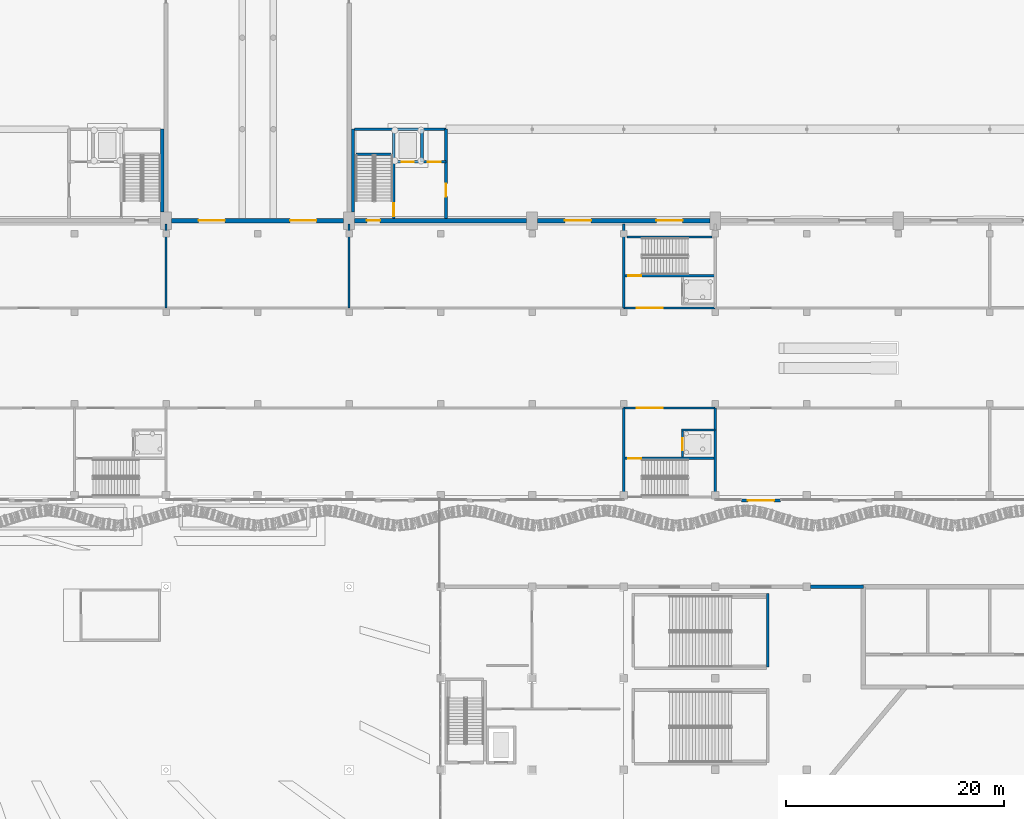
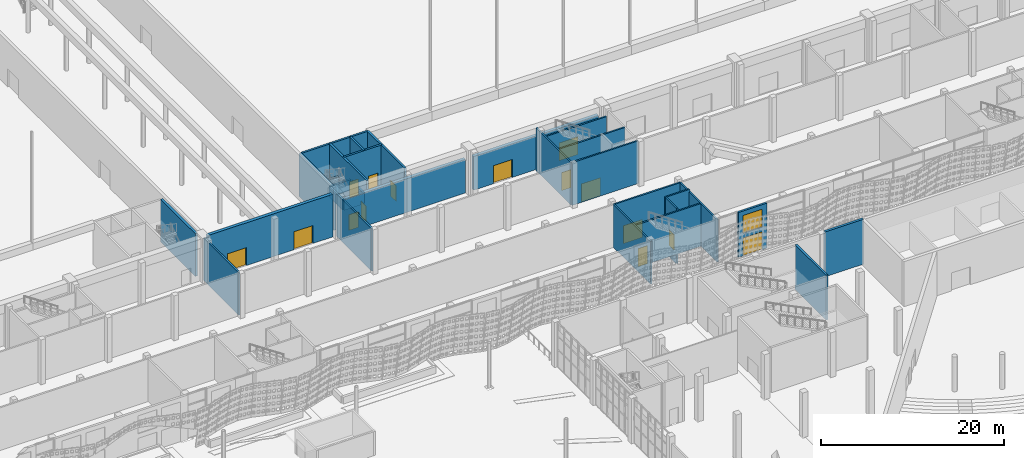
# One storey, part 111 of 210: 30 walls, 15 doors, 1 window, 16 openings.
"""IFC4 building model written with IfcOpenShell, lengths in metres."""

from ifc_helpers import new_model, si_unit, direction, frame, frame_2d, origin, place, context, subcontext, project, spatial, rectangle, extrude, material, layer, layer_set, type_object, element, fill, save


model = new_model("IFC4")

# Units and contexts
model_context = context("Model", 3, precision=1e-05, world=origin(), true_north=direction((0.0, 1.0)))
body_context = subcontext(model_context, "Body", "Model", "MODEL_VIEW")
ifc_project = project(units=[si_unit("LENGTHUNIT", "METRE"), si_unit("AREAUNIT", "SQUARE_METRE"), si_unit("VOLUMEUNIT", "CUBIC_METRE"), si_unit("PLANEANGLEUNIT", "RADIAN"), si_unit("MASSUNIT", "GRAM", prefix="KILO")], contexts=[model_context])

# Site, building, storey
site_placement = place(None, origin())
site = spatial("IfcSite", under=ifc_project, at=site_placement, CompositionType="ELEMENT")
building_placement = place(site_placement, origin())
building = spatial("IfcBuilding", under=site, at=building_placement, Name="Rain Tree Exposition and Congress Centre", CompositionType="ELEMENT")
storey_placement = place(building_placement, origin())
storey = spatial("IfcBuildingStorey", under=building, at=storey_placement, Name="L00", CompositionType="ELEMENT", Elevation=0.0)

# Walls
ifc_material_1 = material(Name="Hollow blockwork partition", Category="masonry")
ifc_layer_1 = layer(ifc_material_1, 0.199951171875)
ifc_layer_set_1 = layer_set([ifc_layer_1], Name="Hollow blockwork partition")
wall_type_1 = type_object("IfcWallType", Name="Concourse blockwork partition 200", PredefinedType="PARTITIONING", material=ifc_layer_set_1)
for number, where, z_axis, x_axis, name in (
    (1, (126.0, 100.5, 0.0), (0.0, 0.0, 1.0), (0.0, -1.0, 0.0), "Concourse partition L00"),
    (2, (142.800048828125, 100.5, 0.0), (0.0, 0.0, 1.0), (0.0, -1.0, 0.0), "Concourse partition L00"),
):
    element("IfcWall", number, at=place(storey_placement, frame(where, z_axis=z_axis, x_axis=x_axis)), inside=storey, type_object=wall_type_1, Name=name, PredefinedType="PARTITIONING", context=body_context, shape_type="SweptSolid", body=[
        extrude(rectangle(XDim=7.699951171875, YDim=0.199951171875, at=frame_2d((3.85009765625, 0.0))), origin(), (0.0, 0.0, 1.0), 5.699951171875),
    ])

# Wall, openings, door, window
ifc_material_2 = material(Name="Concrete C40/50", Category="concrete")
ifc_layer_2 = layer(ifc_material_2, 0.25)
ifc_layer_set_2 = layer_set([ifc_layer_2], Name="Concrete C40/50")
wall_type_2 = type_object("IfcWallType", Name="Concourse entrance infill wall 250", PredefinedType="SOLIDWALL", material=ifc_layer_set_2)
wall_1_placement = place(storey_placement, frame((178.800048828125, 75.125, 0.0), z_axis=(0.0, 0.0, 1.0), x_axis=(1.0, 0.0, 0.0)))
wall_1 = element("IfcWall", 3, at=wall_1_placement, inside=storey, type_object=wall_type_2, Name="Concourse entrance infill wall", PredefinedType="SOLIDWALL", context=body_context, shape_type="SweptSolid", body=[
    extrude(rectangle(XDim=3.599853515625, YDim=0.25, at=frame_2d((1.7998046875, 0.0))), origin(), (0.0, 0.0, 1.0), 6.0),
])
opening_1_placement = place(wall_1_placement, frame((0.60009765625, 0.0, 0.0)))
opening_1 = element("IfcOpeningElement", 4, at=opening_1_placement, cuts=wall_1, Name="Opening DC011", PredefinedType="OPENING", context=body_context, shape_type="SweptSolid", body=[
    extrude(rectangle(XDim=2.39990234375, YDim=2.39990234375, at=frame_2d((1.199951171875, 1.199951171875))), frame((0.0, 0.125, 0.0), z_axis=(0.0, -1.0, 0.0), x_axis=(1.0, 0.0, 0.0)), (0.0, 0.0, 1.0), 0.25),
])
opening_2_placement = place(wall_1_placement, frame((0.60009765625, 0.0, 3.0)))
opening_2 = element("IfcOpeningElement", 5, at=opening_2_placement, cuts=wall_1, Name="Opening WC787", PredefinedType="OPENING", context=body_context, shape_type="SweptSolid", body=[
    extrude(rectangle(XDim=2.39990234375, YDim=2.39990234375, at=frame_2d((1.199951171875, 1.199951171875))), frame((0.0, 0.125, 0.0), z_axis=(0.0, -1.0, 0.0), x_axis=(1.0, 0.0, 0.0)), (0.0, 0.0, 1.0), 0.25),
])
ifc_material_3 = material(Name="Aluminium framed glazed door", Category="aluminium")
door_type_1 = type_object("IfcDoorType", Name="Concourse double door 2400x2400", OperationType="DOUBLE_DOOR_DOUBLE_SWING", PredefinedType="DOOR", material=ifc_material_3)
door_1_placement = place(opening_1_placement, origin())
door_1 = element("IfcDoor", 6, at=door_1_placement, inside=storey, type_object=door_type_1, Name="Room entrance door DC011", OperationType="DOUBLE_DOOR_DOUBLE_SWING", OverallHeight=2.39990234375, OverallWidth=2.39990234375, PredefinedType="DOOR", context=body_context, shape_type="SweptSolid", body=[
    extrude(rectangle(XDim=2.39990234375, YDim=2.39990234375, at=frame_2d((1.199951171875, 1.199951171875))), frame((0.0, 0.02490234375, 0.0), z_axis=(0.0, -1.0, 0.0), x_axis=(1.0, 0.0, 0.0)), (0.0, 0.0, 1.0), 0.050048828125),
])
fill(opening_1, door_1)
ifc_material_4 = material(Name="Aluminium framed glazing", Category="aluminium")
window_type = type_object("IfcWindowType", Name="Concourse fixed window 2400x2400", PartitioningType="SINGLE_PANEL", PredefinedType="WINDOW", material=ifc_material_4)
window_placement = place(opening_2_placement, origin())
window = element("IfcWindow", 7, at=window_placement, inside=storey, type_object=window_type, Name="Entrance transom window", OverallHeight=2.39990234375, OverallWidth=2.39990234375, PartitioningType="SINGLE_PANEL", PredefinedType="WINDOW", context=body_context, shape_type="SweptSolid", body=[
    extrude(rectangle(XDim=2.39990234375, YDim=2.39990234375, at=frame_2d((1.199951171875, 1.199951171875))), frame((0.0, 0.030029296875, 0.0), z_axis=(0.0, -1.0, 0.0), x_axis=(1.0, 0.0, 0.0)), (0.0, 0.0, 1.0), 0.06005859375),
])
fill(opening_2, window)

# Walls
ifc_material_5 = material(Name="Concrete C40/50", Category="concrete")
ifc_layer_3 = layer(ifc_material_5, 0.199951171875)
ifc_layer_set_3 = layer_set([ifc_layer_3], Name="Concrete C40/50")
wall_type_3 = type_object("IfcWallType", Name="Concourse shaft and core wall 200", PredefinedType="SOLIDWALL", material=ifc_layer_set_3)
for number, where, z_axis, x_axis, name in (
    (8, (168.0, 75.39990234375, 0.0), (0.0, 0.0, 1.0), (0.0, 1.0, 0.0), "Concourse core wall L00"),
    (9, (176.39990234375, 75.39990234375, 0.0), (0.0, 0.0, 1.0), (0.0, 1.0, 0.0), "Concourse core wall L00"),
):
    element("IfcWall", number, at=place(storey_placement, frame(where, z_axis=z_axis, x_axis=x_axis)), inside=storey, type_object=wall_type_3, Name=name, PredefinedType="SOLIDWALL", context=body_context, shape_type="SweptSolid", body=[
        extrude(rectangle(XDim=8.2001953125, YDim=0.199951171875, at=frame_2d((4.10009765625, 0.0))), origin(), (0.0, 0.0, 1.0), 5.699951171875),
    ])
wall_2_placement = place(storey_placement, frame((168.0, 100.5, 0.0), z_axis=(0.0, 0.0, 1.0), x_axis=(0.0, -1.0, 0.0)))
element("IfcWall", 10, at=wall_2_placement, inside=storey, type_object=wall_type_3, Name="Concourse core wall L00", PredefinedType="SOLIDWALL", context=body_context, shape_type="SweptSolid", body=[
    extrude(rectangle(XDim=7.699951171875, YDim=0.199951171875, at=frame_2d((3.85009765625, 0.0))), origin(), (0.0, 0.0, 1.0), 5.699951171875),
])
wall_3_placement = place(storey_placement, frame((168.300048828125, 99.300048828125, 0.0), z_axis=(0.0, 0.0, 1.0), x_axis=(1.0, 0.0, 0.0)))
element("IfcWall", 11, at=wall_3_placement, inside=storey, type_object=wall_type_3, Name="Concourse stair wall L00", PredefinedType="SOLIDWALL", context=body_context, shape_type="SweptSolid", body=[
    extrude(rectangle(XDim=7.800048828125, YDim=0.199951171875, at=frame_2d((3.89990234375, 0.0))), origin(), (0.0, 0.0, 1.0), 5.10009765625),
])

# Wall, opening, door
wall_4_placement = place(storey_placement, frame((168.0, 83.60009765625, 0.0), z_axis=(0.0, 0.0, 1.0), x_axis=(1.0, 0.0, 0.0)))
wall_4 = element("IfcWall", 12, at=wall_4_placement, inside=storey, type_object=wall_type_3, Name="Concourse lobby front L00", PredefinedType="SOLIDWALL", context=body_context, shape_type="SweptSolid", body=[
    extrude(rectangle(XDim=8.39990234375, YDim=0.199951171875, at=frame_2d((4.199951171875, 0.0))), origin(), (0.0, 0.0, 1.0), 5.699951171875),
])
opening_3_placement = place(wall_4_placement, frame((1.199951171875, 0.0, 0.0)))
opening_3 = element("IfcOpeningElement", 13, at=opening_3_placement, cuts=wall_4, Name="Opening DC035", PredefinedType="OPENING", context=body_context, shape_type="SweptSolid", body=[
    extrude(rectangle(XDim=2.39990234375, YDim=2.39990234375, at=frame_2d((1.199951171875, 1.199951171875))), frame((0.0, 0.10009765625, 0.0), z_axis=(0.0, -1.0, 0.0), x_axis=(1.0, 0.0, 0.0)), (0.0, 0.0, 1.0), 0.199951171875),
])
door_2_placement = place(opening_3_placement, origin())
door_2 = element("IfcDoor", 14, at=door_2_placement, inside=storey, type_object=door_type_1, Name="Lobby exit door DC035", OperationType="DOUBLE_DOOR_DOUBLE_SWING", OverallHeight=2.39990234375, OverallWidth=2.39990234375, PredefinedType="DOOR", context=body_context, shape_type="SweptSolid", body=[
    extrude(rectangle(XDim=2.39990234375, YDim=2.39990234375, at=frame_2d((1.199951171875, 1.199951171875))), frame((0.0, 0.02490234375, 0.0), z_axis=(0.0, -1.0, 0.0), x_axis=(1.0, 0.0, 0.0)), (0.0, 0.0, 1.0), 0.050048828125),
])
fill(opening_3, door_2)

wall_5_placement = place(storey_placement, frame((168.0, 92.800048828125, 0.0), z_axis=(0.0, 0.0, 1.0), x_axis=(1.0, 0.0, 0.0)))
wall_5 = element("IfcWall", 15, at=wall_5_placement, inside=storey, type_object=wall_type_3, Name="Concourse lobby front L00", PredefinedType="SOLIDWALL", context=body_context, shape_type="SweptSolid", body=[
    extrude(rectangle(XDim=8.39990234375, YDim=0.199951171875, at=frame_2d((4.199951171875, 0.0))), origin(), (0.0, 0.0, 1.0), 5.699951171875),
])
opening_4_placement = place(wall_5_placement, frame((1.199951171875, 0.0, 0.0)))
opening_4 = element("IfcOpeningElement", 16, at=opening_4_placement, cuts=wall_5, Name="Opening DC073", PredefinedType="OPENING", context=body_context, shape_type="SweptSolid", body=[
    extrude(rectangle(XDim=2.39990234375, YDim=2.39990234375, at=frame_2d((1.199951171875, 1.199951171875))), frame((0.0, 0.10009765625, 0.0), z_axis=(0.0, -1.0, 0.0), x_axis=(1.0, 0.0, 0.0)), (0.0, 0.0, 1.0), 0.199951171875),
])
door_3_placement = place(opening_4_placement, origin())
door_3 = element("IfcDoor", 17, at=door_3_placement, inside=storey, type_object=door_type_1, Name="Lobby exit door DC073", OperationType="DOUBLE_DOOR_DOUBLE_SWING", OverallHeight=2.39990234375, OverallWidth=2.39990234375, PredefinedType="DOOR", context=body_context, shape_type="SweptSolid", body=[
    extrude(rectangle(XDim=2.39990234375, YDim=2.39990234375, at=frame_2d((1.199951171875, 1.199951171875))), frame((0.0, 0.02490234375, 0.0), z_axis=(0.0, -1.0, 0.0), x_axis=(1.0, 0.0, 0.0)), (0.0, 0.0, 1.0), 0.050048828125),
])
fill(opening_4, door_3)

wall_6_placement = place(storey_placement, frame((168.0, 79.0, 0.0), z_axis=(0.0, 0.0, 1.0), x_axis=(1.0, 0.0, 0.0)))
wall_6 = element("IfcWall", 18, at=wall_6_placement, inside=storey, type_object=wall_type_3, Name="Concourse stair wall L00", PredefinedType="SOLIDWALL", context=body_context, shape_type="SweptSolid", body=[
    extrude(rectangle(XDim=8.39990234375, YDim=0.199951171875, at=frame_2d((4.199951171875, 0.0))), origin(), (0.0, 0.0, 1.0), 5.699951171875),
])
opening_5_placement = place(wall_6_placement, frame((0.39990234375, 0.0, 0.0)))
opening_5 = element("IfcOpeningElement", 19, at=opening_5_placement, cuts=wall_6, Name="Opening DC108", PredefinedType="OPENING", context=body_context, shape_type="SweptSolid", body=[
    extrude(rectangle(XDim=1.199951171875, YDim=2.39990234375, at=frame_2d((0.60009765625, 1.199951171875))), frame((0.0, 0.10009765625, 0.0), z_axis=(0.0, -1.0, 0.0), x_axis=(1.0, 0.0, 0.0)), (0.0, 0.0, 1.0), 0.199951171875),
])
ifc_material_6 = material(Name="Aluminium framed glazed door", Category="aluminium")
door_type_2 = type_object("IfcDoorType", Name="Concourse single door 1200x2400", OperationType="NOTDEFINED", PredefinedType="DOOR", material=ifc_material_6)
door_4_placement = place(opening_5_placement, origin())
door_4 = element("IfcDoor", 20, at=door_4_placement, inside=storey, type_object=door_type_2, Name="Stair door DC108", OperationType="SINGLE_SWING_LEFT", OverallHeight=2.39990234375, OverallWidth=1.199951171875, PredefinedType="DOOR", context=body_context, shape_type="SweptSolid", body=[
    extrude(rectangle(XDim=1.199951171875, YDim=2.39990234375, at=frame_2d((0.60009765625, 1.199951171875))), frame((0.0, 0.02490234375, 0.0), z_axis=(0.0, -1.0, 0.0), x_axis=(1.0, 0.0, 0.0)), (0.0, 0.0, 1.0), 0.050048828125),
])
fill(opening_5, door_4)

wall_7_placement = place(storey_placement, frame((173.39990234375, 79.10009765625, -1.39990234375), z_axis=(0.0, 0.0, 1.0), x_axis=(0.0, 1.0, 0.0)))
wall_7 = element("IfcWall", 21, at=wall_7_placement, inside=storey, type_object=wall_type_3, Name="Concourse lift shaft wall L00", PredefinedType="SOLIDWALL", context=body_context, shape_type="SweptSolid", body=[
    extrude(rectangle(XDim=2.599853515625, YDim=0.199951171875, at=frame_2d((1.2998046875, 0.0))), origin(), (0.0, 0.0, 1.0), 7.39990234375),
])
opening_6_placement = place(wall_7_placement, frame((0.64990234375, 0.0, 1.39990234375)))
opening_6 = element("IfcOpeningElement", 22, at=opening_6_placement, cuts=wall_7, Name="Opening DC110", PredefinedType="OPENING", context=body_context, shape_type="SweptSolid", body=[
    extrude(rectangle(XDim=1.10009765625, YDim=2.10009765625, at=frame_2d((0.550048828125, 1.050048828125))), frame((0.0, 0.10009765625, 0.0), z_axis=(0.0, -1.0, 0.0), x_axis=(1.0, 0.0, 0.0)), (0.0, 0.0, 1.0), 0.199951171875),
])
ifc_material_7 = material(Name="Stainless steel", Category="steel")
door_type_3 = type_object("IfcDoorType", Name="Lift landing door 1100x2100", OperationType="DOUBLE_DOOR_SLIDING", PredefinedType="DOOR", material=ifc_material_7)
door_5_placement = place(opening_6_placement, origin())
door_5 = element("IfcDoor", 23, at=door_5_placement, inside=storey, type_object=door_type_3, Name="Lift landing door DC110", OperationType="DOUBLE_DOOR_SLIDING", OverallHeight=2.10009765625, OverallWidth=1.10009765625, PredefinedType="DOOR", context=body_context, shape_type="SweptSolid", body=[
    extrude(rectangle(XDim=1.10009765625, YDim=2.10009765625, at=frame_2d((0.550048828125, 1.050048828125))), frame((0.0, 0.02490234375, 0.0), z_axis=(0.0, -1.0, 0.0), x_axis=(1.0, 0.0, 0.0)), (0.0, 0.0, 1.0), 0.050048828125),
])
fill(opening_6, door_5)

# Wall
wall_8_placement = place(storey_placement, frame((173.300048828125, 81.60009765625, -1.39990234375), z_axis=(0.0, 0.0, 1.0), x_axis=(1.0, 0.0, 0.0)))
element("IfcWall", 24, at=wall_8_placement, inside=storey, type_object=wall_type_3, Name="Concourse lift shaft wall L00", PredefinedType="SOLIDWALL", context=body_context, shape_type="SweptSolid", body=[
    extrude(rectangle(XDim=3.099853515625, YDim=0.199951171875, at=frame_2d((1.5498046875, 0.0))), origin(), (0.0, 0.0, 1.0), 7.39990234375),
])

# Wall, opening, door
wall_9_placement = place(storey_placement, frame((168.0, 95.75, 0.0), z_axis=(0.0, 0.0, 1.0), x_axis=(1.0, 0.0, 0.0)))
wall_9 = element("IfcWall", 25, at=wall_9_placement, inside=storey, type_object=wall_type_3, Name="Concourse stair wall L00", PredefinedType="SOLIDWALL", context=body_context, shape_type="SweptSolid", body=[
    extrude(rectangle(XDim=8.39990234375, YDim=0.199951171875, at=frame_2d((4.199951171875, 0.0))), origin(), (0.0, 0.0, 1.0), 5.699951171875),
])
opening_7_placement = place(wall_9_placement, frame((0.39990234375, 0.0, 0.0)))
opening_7 = element("IfcOpeningElement", 26, at=opening_7_placement, cuts=wall_9, Name="Opening DC138", PredefinedType="OPENING", context=body_context, shape_type="SweptSolid", body=[
    extrude(rectangle(XDim=1.199951171875, YDim=2.39990234375, at=frame_2d((0.60009765625, 1.199951171875))), frame((0.0, 0.10009765625, 0.0), z_axis=(0.0, -1.0, 0.0), x_axis=(1.0, 0.0, 0.0)), (0.0, 0.0, 1.0), 0.199951171875),
])
door_6_placement = place(opening_7_placement, origin())
door_6 = element("IfcDoor", 27, at=door_6_placement, inside=storey, type_object=door_type_2, Name="Stair door DC138", OperationType="SINGLE_SWING_LEFT", OverallHeight=2.39990234375, OverallWidth=1.199951171875, PredefinedType="DOOR", context=body_context, shape_type="SweptSolid", body=[
    extrude(rectangle(XDim=1.199951171875, YDim=2.39990234375, at=frame_2d((0.60009765625, 1.199951171875))), frame((0.0, 0.02490234375, 0.0), z_axis=(0.0, -1.0, 0.0), x_axis=(1.0, 0.0, 0.0)), (0.0, 0.0, 1.0), 0.050048828125),
])
fill(opening_7, door_6)

# Walls
ifc_material_8 = material(Name="Concrete C40/50", Category="concrete")
ifc_layer_4 = layer(ifc_material_8, 0.300048828125)
ifc_layer_set_4 = layer_set([ifc_layer_4], Name="Concrete C40/50")
wall_type_4 = type_object("IfcWallType", Name="Core gable pier wall 300", PredefinedType="SHEAR", material=ifc_layer_set_4)
for number, where, z_axis, x_axis, name in (
    (28, (125.64990234375, 101.60009765625, 0.0), (0.0, 0.0, 1.0), (0.0, 1.0, 0.0), "Gable pier wall 2"),
    (29, (143.14990234375, 101.60009765625, 0.0), (0.0, 0.0, 1.0), (0.0, 1.0, 0.0), "Gable pier wall 5"),
):
    element("IfcWall", number, at=place(storey_placement, frame(where, z_axis=z_axis, x_axis=x_axis)), inside=storey, type_object=wall_type_4, Name=name, PredefinedType="SHEAR", context=body_context, shape_type="SweptSolid", body=[
        extrude(rectangle(XDim=7.599853515625, YDim=0.300048828125, at=frame_2d((3.7998046875, 0.0))), origin(), (0.0, 0.0, 1.0), 5.699951171875),
    ])

# Wall, opening, door
ifc_material_9 = material(Name="Concrete C40/50", Category="concrete")
ifc_layer_5 = layer(ifc_material_9, 0.25)
ifc_layer_set_5 = layer_set([ifc_layer_5], Name="Concrete C40/50")
wall_type_5 = type_object("IfcWallType", Name="Core wall 250", PredefinedType="SHEAR", material=ifc_layer_set_5)
wall_10_placement = place(storey_placement, frame((146.89990234375, 101.0, 0.0), z_axis=(0.0, 0.0, 1.0), x_axis=(0.0, 1.0, 0.0)))
wall_10 = element("IfcWall", 30, at=wall_10_placement, inside=storey, type_object=wall_type_5, Name="Stair wall 5", PredefinedType="SHEAR", context=body_context, shape_type="SweptSolid", body=[
    extrude(rectangle(XDim=8.199951171875, YDim=0.25, at=frame_2d((4.10009765625, 0.0))), origin(), (0.0, 0.0, 1.0), 5.699951171875),
])
opening_8_placement = place(wall_10_placement, frame((0.199951171875, 0.0, 0.0)))
opening_8 = element("IfcOpeningElement", 31, at=opening_8_placement, cuts=wall_10, Name="Opening DH213", PredefinedType="OPENING", context=body_context, shape_type="SweptSolid", body=[
    extrude(rectangle(XDim=1.199951171875, YDim=2.10009765625, at=frame_2d((0.60009765625, 1.050048828125))), frame((0.0, 0.125, 0.0), z_axis=(0.0, -1.0, 0.0), x_axis=(1.0, 0.0, 0.0)), (0.0, 0.0, 1.0), 0.25),
])
ifc_material_10 = material(Name="Painted steel fire door", Category="steel")
door_type_4 = type_object("IfcDoorType", Name="Stair fire door 1200x2100", OperationType="NOTDEFINED", PredefinedType="DOOR", material=ifc_material_10)
door_7_placement = place(opening_8_placement, origin())
door_7 = element("IfcDoor", 32, at=door_7_placement, inside=storey, type_object=door_type_4, Name="Door DH213", OperationType="SINGLE_SWING_LEFT", OverallHeight=2.10009765625, OverallWidth=1.199951171875, PredefinedType="DOOR", context=body_context, shape_type="SweptSolid", body=[
    extrude(rectangle(XDim=1.199951171875, YDim=2.10009765625, at=frame_2d((0.60009765625, 1.050048828125))), frame((0.0, 0.02490234375, 0.0), z_axis=(0.0, -1.0, 0.0), x_axis=(1.0, 0.0, 0.0)), (0.0, 0.0, 1.0), 0.050048828125),
])
fill(opening_8, door_7)

# Wall
wall_11_placement = place(storey_placement, frame((143.300048828125, 109.199951171875, 0.0), z_axis=(0.0, 0.0, 1.0), x_axis=(1.0, 0.0, 0.0)))
element("IfcWall", 33, at=wall_11_placement, inside=storey, type_object=wall_type_5, Name="Core north wall 5", PredefinedType="SHEAR", context=body_context, shape_type="SweptSolid", body=[
    extrude(rectangle(XDim=8.39990234375, YDim=0.25, at=frame_2d((4.199951171875, 0.0))), origin(), (0.0, 0.0, 1.0), 5.699951171875),
])

# Wall, opening, door
wall_12_placement = place(storey_placement, frame((151.699951171875, 101.0, 0.0), z_axis=(0.0, 0.0, 1.0), x_axis=(0.0, 1.0, 0.0)))
wall_12 = element("IfcWall", 34, at=wall_12_placement, inside=storey, type_object=wall_type_5, Name="Core east wall 5", PredefinedType="SHEAR", context=body_context, shape_type="SweptSolid", body=[
    extrude(rectangle(XDim=8.199951171875, YDim=0.25, at=frame_2d((4.10009765625, 0.0))), origin(), (0.0, 0.0, 1.0), 5.699951171875),
])
opening_9_placement = place(wall_12_placement, frame((2.0, 0.0, 0.0)))
opening_9 = element("IfcOpeningElement", 35, at=opening_9_placement, cuts=wall_12, Name="Opening DH214", PredefinedType="OPENING", context=body_context, shape_type="SweptSolid", body=[
    extrude(rectangle(XDim=1.199951171875, YDim=2.10009765625, at=frame_2d((0.60009765625, 1.050048828125))), frame((0.0, 0.125, 0.0), z_axis=(0.0, -1.0, 0.0), x_axis=(1.0, 0.0, 0.0)), (0.0, 0.0, 1.0), 0.25),
])
ifc_material_11 = material(Name="Painted steel fire door", Category="steel")
door_type_5 = type_object("IfcDoorType", Name="Lobby fire door 1200x2100", OperationType="NOTDEFINED", PredefinedType="DOOR", material=ifc_material_11)
door_8_placement = place(opening_9_placement, origin())
door_8 = element("IfcDoor", 36, at=door_8_placement, inside=storey, type_object=door_type_5, Name="Door DH214", OperationType="SINGLE_SWING_LEFT", OverallHeight=2.10009765625, OverallWidth=1.199951171875, PredefinedType="DOOR", context=body_context, shape_type="SweptSolid", body=[
    extrude(rectangle(XDim=1.199951171875, YDim=2.10009765625, at=frame_2d((0.60009765625, 1.050048828125))), frame((0.0, 0.02490234375, 0.0), z_axis=(0.0, -1.0, 0.0), x_axis=(1.0, 0.0, 0.0)), (0.0, 0.0, 1.0), 0.050048828125),
])
fill(opening_9, door_8)

# Wall, openings, doors
wall_13_placement = place(storey_placement, frame((146.89990234375, 106.199951171875, 0.0), z_axis=(0.0, 0.0, 1.0), x_axis=(1.0, 0.0, 0.0)))
wall_13 = element("IfcWall", 37, at=wall_13_placement, inside=storey, type_object=wall_type_5, Name="Lift lobby wall 5", PredefinedType="SHEAR", context=body_context, shape_type="SweptSolid", body=[
    extrude(rectangle(XDim=4.800048828125, YDim=0.25, at=frame_2d((2.39990234375, 0.0))), origin(), (0.0, 0.0, 1.0), 5.699951171875),
])
opening_10_placement = place(wall_13_placement, frame((0.75, 0.0, 0.0)))
opening_10 = element("IfcOpeningElement", 38, at=opening_10_placement, cuts=wall_13, Name="Opening DH215", PredefinedType="OPENING", context=body_context, shape_type="SweptSolid", body=[
    extrude(rectangle(XDim=1.10009765625, YDim=2.10009765625, at=frame_2d((0.550048828125, 1.050048828125))), frame((0.0, 0.125, 0.0), z_axis=(0.0, -1.0, 0.0), x_axis=(1.0, 0.0, 0.0)), (0.0, 0.0, 1.0), 0.25),
])
opening_11_placement = place(wall_13_placement, frame((3.10009765625, 0.0, 0.0)))
opening_11 = element("IfcOpeningElement", 39, at=opening_11_placement, cuts=wall_13, Name="Opening DH216", PredefinedType="OPENING", context=body_context, shape_type="SweptSolid", body=[
    extrude(rectangle(XDim=1.199951171875, YDim=2.10009765625, at=frame_2d((0.60009765625, 1.050048828125))), frame((0.0, 0.125, 0.0), z_axis=(0.0, -1.0, 0.0), x_axis=(1.0, 0.0, 0.0)), (0.0, 0.0, 1.0), 0.25),
])
door_9_placement = place(opening_10_placement, origin())
door_9 = element("IfcDoor", 40, at=door_9_placement, inside=storey, type_object=door_type_3, Name="Door DH215", OperationType="DOUBLE_DOOR_SLIDING", OverallHeight=2.10009765625, OverallWidth=1.10009765625, PredefinedType="DOOR", context=body_context, shape_type="SweptSolid", body=[
    extrude(rectangle(XDim=1.10009765625, YDim=2.10009765625, at=frame_2d((0.550048828125, 1.050048828125))), frame((0.0, 0.02490234375, 0.0), z_axis=(0.0, -1.0, 0.0), x_axis=(1.0, 0.0, 0.0)), (0.0, 0.0, 1.0), 0.050048828125),
])
fill(opening_10, door_9)
ifc_material_12 = material(Name="Painted steel fire door", Category="steel")
door_type_6 = type_object("IfcDoorType", Name="Plant room fire door 1200x2100", OperationType="NOTDEFINED", PredefinedType="DOOR", material=ifc_material_12)
door_10_placement = place(opening_11_placement, origin())
door_10 = element("IfcDoor", 41, at=door_10_placement, inside=storey, type_object=door_type_6, Name="Door DH216", OperationType="SINGLE_SWING_RIGHT", OverallHeight=2.10009765625, OverallWidth=1.199951171875, PredefinedType="DOOR", context=body_context, shape_type="SweptSolid", body=[
    extrude(rectangle(XDim=1.199951171875, YDim=2.10009765625, at=frame_2d((0.60009765625, 1.050048828125))), frame((0.0, 0.02490234375, 0.0), z_axis=(0.0, -1.0, 0.0), x_axis=(1.0, 0.0, 0.0)), (0.0, 0.0, 1.0), 0.050048828125),
])
fill(opening_11, door_10)

# Walls
wall_14_placement = place(storey_placement, frame((149.5, 106.199951171875, 0.0), z_axis=(0.0, 0.0, 1.0), x_axis=(0.0, 1.0, 0.0)))
element("IfcWall", 42, at=wall_14_placement, inside=storey, type_object=wall_type_5, Name="Lift shaft wall 5", PredefinedType="SHEAR", context=body_context, shape_type="SweptSolid", body=[
    extrude(rectangle(XDim=3.0, YDim=0.25, at=frame_2d((1.5, 0.0))), origin(), (0.0, 0.0, 1.0), 5.699951171875),
])
wall_15_placement = place(storey_placement, frame((143.449951171875, 106.89990234375, 0.0), z_axis=(0.0, 0.0, 1.0), x_axis=(1.0, 0.0, 0.0)))
element("IfcWall", 43, at=wall_15_placement, inside=storey, type_object=wall_type_5, Name="Stair landing wall 5", PredefinedType="SHEAR", context=body_context, shape_type="SweptSolid", body=[
    extrude(rectangle(XDim=3.199951171875, YDim=0.25, at=frame_2d((1.60009765625, 0.0))), origin(), (0.0, 0.0, 1.0), 2.800048828125),
])
wall_16_placement = place(storey_placement, frame((181.22509765625, 59.85009765625, 0.0), z_axis=(0.0, 0.0, 1.0), x_axis=(0.0, 1.0, 0.0)))
element("IfcWall", 44, at=wall_16_placement, inside=storey, type_object=wall_type_5, Name="Stair ST-G4 far wall", PredefinedType="SHEAR", context=body_context, shape_type="SweptSolid", body=[
    extrude(rectangle(XDim=6.75, YDim=0.25, at=frame_2d((3.375, 0.0))), origin(), (0.0, 0.0, 1.0), 6.0),
])
ifc_material_13 = material(Name="Concrete C40/50", Category="concrete")
ifc_layer_6 = layer(ifc_material_13, 0.300048828125)
ifc_layer_set_6 = layer_set([ifc_layer_6], Name="Concrete C40/50")
wall_type_6 = type_object("IfcWallType", Name="Foyer screen wall 300", PredefinedType="STANDARD", material=ifc_layer_set_6)
wall_17_placement = place(storey_placement, frame((185.14990234375, 67.199951171875, 0.0), z_axis=(0.0, 0.0, 1.0), x_axis=(1.0, 0.0, 0.0)))
element("IfcWall", 45, at=wall_17_placement, inside=storey, type_object=wall_type_6, Name="Lounge north wall end", PredefinedType="STANDARD", context=body_context, shape_type="SweptSolid", body=[
    extrude(rectangle(XDim=4.85009765625, YDim=0.300048828125, at=frame_2d((2.425048828125, 0.0))), origin(), (0.0, 0.0, 1.0), 6.0),
])

# Wall, opening, door
ifc_material_14 = material(Name="Precast concrete C50/60", Category="concrete")
ifc_layer_7 = layer(ifc_material_14, 0.39990234375)
ifc_layer_set_7 = layer_set([ifc_layer_7], Name="Precast concrete C50/60")
wall_type_7 = type_object("IfcWallType", Name="Hall precast wall 400", PredefinedType="STANDARD", material=ifc_layer_set_7)
wall_18_placement = place(storey_placement, frame((143.300048828125, 100.800048828125, 0.0), z_axis=(0.0, 0.0, 1.0), x_axis=(1.0, 0.0, 0.0)))
wall_18 = element("IfcWall", 46, at=wall_18_placement, inside=storey, type_object=wall_type_7, Name="Cladding wall S1", PredefinedType="STANDARD", context=body_context, shape_type="SweptSolid", body=[
    extrude(rectangle(XDim=15.800048828125, YDim=0.39990234375, at=frame_2d((7.89990234375, 0.0))), origin(), (0.0, 0.0, 1.0), 4.5),
])
opening_12_placement = place(wall_18_placement, frame((1.137451171875, 0.0, 0.0)))
opening_12 = element("IfcOpeningElement", 47, at=opening_12_placement, cuts=wall_18, Name="Opening DH136", PredefinedType="OPENING", context=body_context, shape_type="SweptSolid", body=[
    extrude(rectangle(XDim=1.199951171875, YDim=2.10009765625, at=frame_2d((0.60009765625, 1.050048828125))), frame((0.0, 0.199951171875, 0.0), z_axis=(0.0, -1.0, 0.0), x_axis=(1.0, 0.0, 0.0)), (0.0, 0.0, 1.0), 0.39990234375),
])
door_11_placement = place(opening_12_placement, origin())
door_11 = element("IfcDoor", 48, at=door_11_placement, inside=storey, type_object=door_type_4, Name="Door DH136", OperationType="SINGLE_SWING_LEFT", OverallHeight=2.10009765625, OverallWidth=1.199951171875, PredefinedType="DOOR", context=body_context, shape_type="SweptSolid", body=[
    extrude(rectangle(XDim=1.199951171875, YDim=2.10009765625, at=frame_2d((0.60009765625, 1.050048828125))), frame((0.0, 0.02490234375, 0.0), z_axis=(0.0, -1.0, 0.0), x_axis=(1.0, 0.0, 0.0)), (0.0, 0.0, 1.0), 0.050048828125),
])
fill(opening_12, door_11)

# Wall, openings, doors
wall_19_placement = place(storey_placement, frame((160.10009765625, 100.800048828125, 0.0), z_axis=(0.0, 0.0, 1.0), x_axis=(1.0, 0.0, 0.0)))
wall_19 = element("IfcWall", 49, at=wall_19_placement, inside=storey, type_object=wall_type_7, Name="Cladding wall S2", PredefinedType="STANDARD", context=body_context, shape_type="SweptSolid", body=[
    extrude(rectangle(XDim=15.7998046875, YDim=0.39990234375, at=frame_2d((7.89990234375, 0.0))), origin(), (0.0, 0.0, 1.0), 4.5),
])
opening_13_placement = place(wall_19_placement, frame((2.5, 0.0, 0.0)))
opening_13 = element("IfcOpeningElement", 50, at=opening_13_placement, cuts=wall_19, Name="Opening DH137", PredefinedType="OPENING", context=body_context, shape_type="SweptSolid", body=[
    extrude(rectangle(XDim=2.39990234375, YDim=2.39990234375, at=frame_2d((1.199951171875, 1.199951171875))), frame((0.0, 0.199951171875, 0.0), z_axis=(0.0, -1.0, 0.0), x_axis=(1.0, 0.0, 0.0)), (0.0, 0.0, 1.0), 0.39990234375),
])
opening_14_placement = place(wall_19_placement, frame((10.89990234375, 0.0, 0.0)))
opening_14 = element("IfcOpeningElement", 51, at=opening_14_placement, cuts=wall_19, Name="Opening DH138", PredefinedType="OPENING", context=body_context, shape_type="SweptSolid", body=[
    extrude(rectangle(XDim=2.39990234375, YDim=2.39990234375, at=frame_2d((1.199951171875, 1.199951171875))), frame((0.0, 0.199951171875, 0.0), z_axis=(0.0, -1.0, 0.0), x_axis=(1.0, 0.0, 0.0)), (0.0, 0.0, 1.0), 0.39990234375),
])
ifc_material_15 = material(Name="Aluminium and glass", Category="aluminium")
door_type_7 = type_object("IfcDoorType", Name="Double glazed entrance door 2400x2400", OperationType="DOUBLE_DOOR_SINGLE_SWING", PredefinedType="DOOR", material=ifc_material_15)
door_12_placement = place(opening_13_placement, origin())
door_12 = element("IfcDoor", 52, at=door_12_placement, inside=storey, type_object=door_type_7, Name="Door DH137", OperationType="DOUBLE_DOOR_SINGLE_SWING", OverallHeight=2.39990234375, OverallWidth=2.39990234375, PredefinedType="DOOR", context=body_context, shape_type="SweptSolid", body=[
    extrude(rectangle(XDim=2.39990234375, YDim=2.39990234375, at=frame_2d((1.199951171875, 1.199951171875))), frame((0.0, 0.02490234375, 0.0), z_axis=(0.0, -1.0, 0.0), x_axis=(1.0, 0.0, 0.0)), (0.0, 0.0, 1.0), 0.050048828125),
])
fill(opening_13, door_12)
door_13_placement = place(opening_14_placement, origin())
door_13 = element("IfcDoor", 53, at=door_13_placement, inside=storey, type_object=door_type_7, Name="Door DH138", OperationType="DOUBLE_DOOR_SINGLE_SWING", OverallHeight=2.39990234375, OverallWidth=2.39990234375, PredefinedType="DOOR", context=body_context, shape_type="SweptSolid", body=[
    extrude(rectangle(XDim=2.39990234375, YDim=2.39990234375, at=frame_2d((1.199951171875, 1.199951171875))), frame((0.0, 0.02490234375, 0.0), z_axis=(0.0, -1.0, 0.0), x_axis=(1.0, 0.0, 0.0)), (0.0, 0.0, 1.0), 0.050048828125),
])
fill(opening_14, door_13)

# Walls
ifc_material_16 = material(Name="Concrete C40/50", Category="concrete")
ifc_layer_8 = layer(ifc_material_16, 0.25)
ifc_layer_set_8 = layer_set([ifc_layer_8], Name="Concrete C40/50")
wall_type_8 = type_object("IfcWallType", Name="Lift pit wall 250", PredefinedType="SHEAR", material=ifc_layer_set_8)
for number, where, z_axis, x_axis, name in (
    (54, (146.89990234375, 106.199951171875, -1.39990234375), (0.0, 0.0, 1.0), (0.0, 1.0, 0.0), "Lift pit wall 5.1"),
    (55, (149.5, 106.199951171875, -1.39990234375), (0.0, 0.0, 1.0), (0.0, 1.0, 0.0), "Lift pit wall 5.2"),
):
    element("IfcWall", number, at=place(storey_placement, frame(where, z_axis=z_axis, x_axis=x_axis)), inside=storey, type_object=wall_type_8, Name=name, PredefinedType="SHEAR", context=body_context, shape_type="SweptSolid", body=[
        extrude(rectangle(XDim=3.0, YDim=0.25, at=frame_2d((1.5, 0.0))), origin(), (0.0, 0.0, 1.0), 1.39990234375),
    ])
for number, where, z_axis, x_axis, name in (
    (56, (146.89990234375, 106.199951171875, -1.39990234375), (0.0, 0.0, 1.0), (1.0, 0.0, 0.0), "Lift pit wall 5.3"),
    (57, (146.89990234375, 109.199951171875, -1.39990234375), (0.0, 0.0, 1.0), (1.0, 0.0, 0.0), "Lift pit wall 5.4"),
):
    element("IfcWall", number, at=place(storey_placement, frame(where, z_axis=z_axis, x_axis=x_axis)), inside=storey, type_object=wall_type_8, Name=name, PredefinedType="SHEAR", context=body_context, shape_type="SweptSolid", body=[
        extrude(rectangle(XDim=2.60009765625, YDim=0.25, at=frame_2d((1.300048828125, 0.0))), origin(), (0.0, 0.0, 1.0), 1.39990234375),
    ])

# Wall, openings, doors
ifc_material_17 = material(Name="Precast concrete C50/60", Category="concrete")
ifc_layer_9 = layer(ifc_material_17, 0.39990234375)
ifc_layer_set_9 = layer_set([ifc_layer_9], Name="Precast concrete C50/60")
wall_type_9 = type_object("IfcWallType", Name="Link end wall 400", PredefinedType="SHEAR", material=ifc_layer_set_9)
wall_20_placement = place(storey_placement, frame((126.5, 100.800048828125, 0.0), z_axis=(0.0, 0.0, 1.0), x_axis=(1.0, 0.0, 0.0)))
wall_20 = element("IfcWall", 58, at=wall_20_placement, inside=storey, type_object=wall_type_9, Name="Link south wall", PredefinedType="SHEAR", context=body_context, shape_type="SweptSolid", body=[
    extrude(rectangle(XDim=15.800048828125, YDim=0.39990234375, at=frame_2d((7.89990234375, 0.0))), origin(), (0.0, 0.0, 1.0), 5.699951171875),
])
opening_15_placement = place(wall_20_placement, frame((2.5, 0.0, 0.0)))
opening_15 = element("IfcOpeningElement", 59, at=opening_15_placement, cuts=wall_20, Name="Opening DH175", PredefinedType="OPENING", context=body_context, shape_type="SweptSolid", body=[
    extrude(rectangle(XDim=2.39990234375, YDim=2.39990234375, at=frame_2d((1.199951171875, 1.199951171875))), frame((0.0, 0.199951171875, 0.0), z_axis=(0.0, -1.0, 0.0), x_axis=(1.0, 0.0, 0.0)), (0.0, 0.0, 1.0), 0.39990234375),
])
opening_16_placement = place(wall_20_placement, frame((10.89990234375, 0.0, 0.0)))
opening_16 = element("IfcOpeningElement", 60, at=opening_16_placement, cuts=wall_20, Name="Opening DH176", PredefinedType="OPENING", context=body_context, shape_type="SweptSolid", body=[
    extrude(rectangle(XDim=2.39990234375, YDim=2.39990234375, at=frame_2d((1.199951171875, 1.199951171875))), frame((0.0, 0.199951171875, 0.0), z_axis=(0.0, -1.0, 0.0), x_axis=(1.0, 0.0, 0.0)), (0.0, 0.0, 1.0), 0.39990234375),
])
door_14_placement = place(opening_15_placement, origin())
door_14 = element("IfcDoor", 61, at=door_14_placement, inside=storey, type_object=door_type_7, Name="Door DH175", OperationType="DOUBLE_DOOR_SINGLE_SWING", OverallHeight=2.39990234375, OverallWidth=2.39990234375, PredefinedType="DOOR", context=body_context, shape_type="SweptSolid", body=[
    extrude(rectangle(XDim=2.39990234375, YDim=2.39990234375, at=frame_2d((1.199951171875, 1.199951171875))), frame((0.0, 0.02490234375, 0.0), z_axis=(0.0, -1.0, 0.0), x_axis=(1.0, 0.0, 0.0)), (0.0, 0.0, 1.0), 0.050048828125),
])
fill(opening_15, door_14)
door_15_placement = place(opening_16_placement, origin())
door_15 = element("IfcDoor", 62, at=door_15_placement, inside=storey, type_object=door_type_7, Name="Door DH176", OperationType="DOUBLE_DOOR_SINGLE_SWING", OverallHeight=2.39990234375, OverallWidth=2.39990234375, PredefinedType="DOOR", context=body_context, shape_type="SweptSolid", body=[
    extrude(rectangle(XDim=2.39990234375, YDim=2.39990234375, at=frame_2d((1.199951171875, 1.199951171875))), frame((0.0, 0.02490234375, 0.0), z_axis=(0.0, -1.0, 0.0), x_axis=(1.0, 0.0, 0.0)), (0.0, 0.0, 1.0), 0.050048828125),
])
fill(opening_16, door_15)

save(model, "model.ifc")
